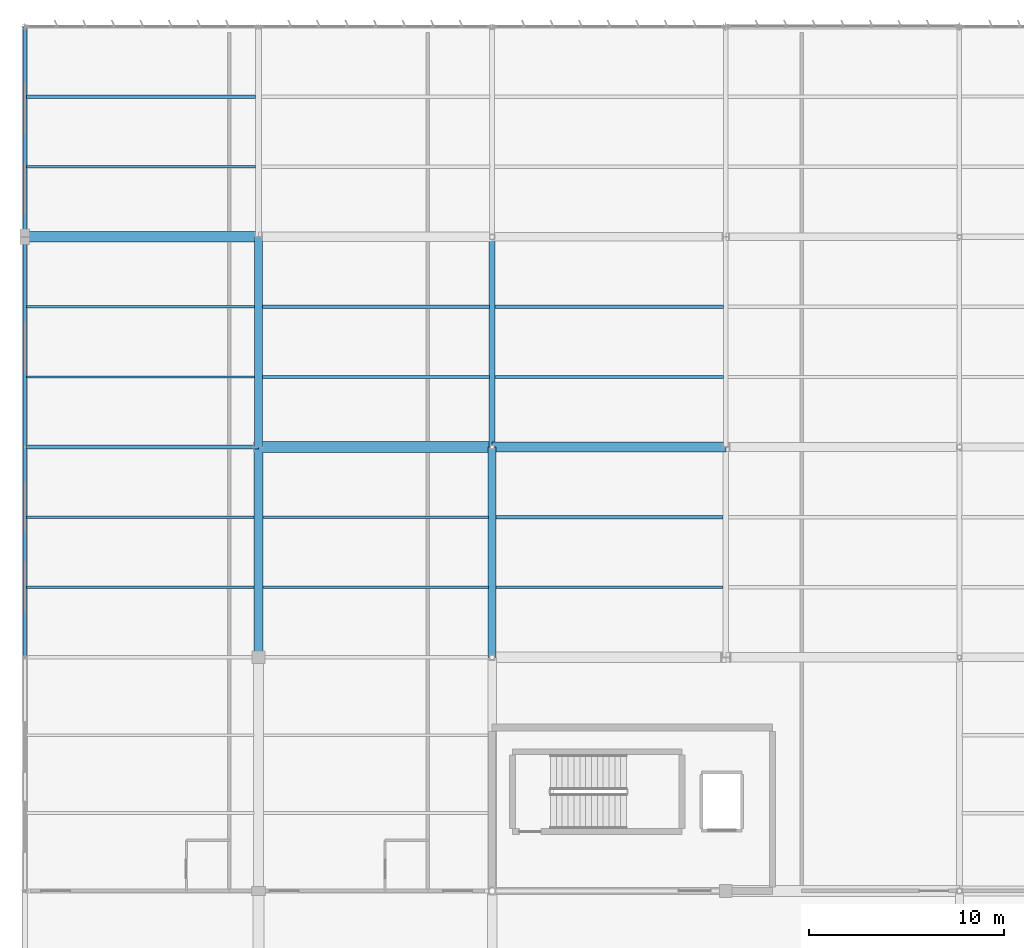
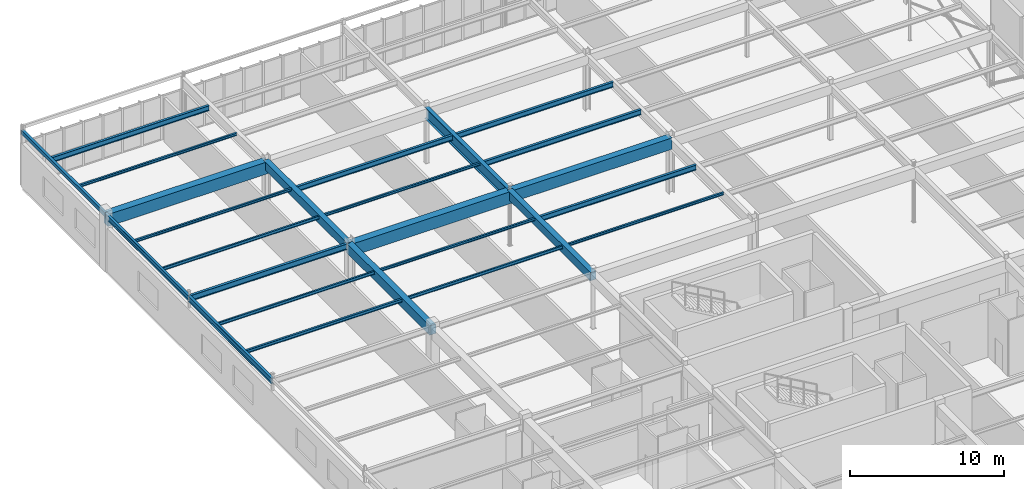
# One storey, part 90 of 226: 25 beams.
"""IFC4 building model written with IfcOpenShell, lengths in metres."""

import ifcopenshell
import ifcopenshell.guid

model = None  # the IFC model being written
_history = None  # IfcOwnerHistory: only IFC2X3 demands one
_inside = {}  # id of a spatial element -> (the spatial element, [elements in it])
_under = {}  # id of a project, library or spatial element -> (it, [spatial elements below it])
_declared = {}  # id of a project -> (the project, [libraries it declares])
_typed = {}  # id of a type object -> (the type object, [elements of that type])
_made_of = {}  # id of a material, layer set ... -> (it, [elements and type objects made of it])


def new_model(schema):
    """Start an empty IFC model of exactly this schema.

    Asked for "IFC4X3", IfcOpenShell would pick the latest addendum, in which some entities
    have other attributes; the version numbers below select the first issue.
    IFC2X3 requires an IfcOwnerHistory on every rooted entity: one is made here for all.
    """
    global model, _history
    if schema == "IFC4X3":
        model = ifcopenshell.file(schema_version=(4, 3, 0, 0))
    else:
        model = ifcopenshell.file(schema=schema)
    _inside.clear()
    _under.clear()
    _declared.clear()
    _typed.clear()
    _made_of.clear()
    _history = None
    if model.schema == "IFC2X3":
        org = make("IfcOrganization", Name="unknown")
        user = make(
            "IfcPersonAndOrganization",
            ThePerson=make("IfcPerson", FamilyName="unknown"),
            TheOrganization=org,
        )
        app = make(
            "IfcApplication",
            ApplicationDeveloper=org,
            Version="unknown",
            ApplicationFullName="unknown",
            ApplicationIdentifier="unknown",
        )
        _history = make(
            "IfcOwnerHistory",
            OwningUser=user,
            OwningApplication=app,
            ChangeAction="ADDED",
            CreationDate=0,
        )
    return model


def make(cls, **values):
    """One entity of the class cls with the attributes given. An attribute that is None is left unset."""
    return model.create_entity(
        cls, **{name: value for name, value in values.items() if value is not None}
    )


def rooted(cls, **values):
    """An entity with a GlobalId (a new one), such as an element, a storey or a relation."""
    return make(cls, GlobalId=ifcopenshell.guid.new(), OwnerHistory=_history, **values)


def si_unit(unit_type, name, prefix=None):
    """IfcSIUnit, for example si_unit("LENGTHUNIT", "METRE", prefix="MILLI")."""
    return make("IfcSIUnit", UnitType=unit_type, Prefix=prefix, Name=name)


def assignment(units):
    """IfcUnitAssignment: the units of a project."""
    return None if units is None else make("IfcUnitAssignment", Units=units)


def point(xyz):
    """IfcCartesianPoint."""
    return None if xyz is None else make("IfcCartesianPoint", Coordinates=xyz)


def direction(xyz):
    """IfcDirection."""
    return None if xyz is None else make("IfcDirection", DirectionRatios=xyz)


def frame(location, z_axis=None, x_axis=None):
    """IfcAxis2Placement3D, a coordinate frame: its origin and axes. An axis left out is left unset."""
    return make(
        "IfcAxis2Placement3D",
        Location=point(location),
        Axis=direction(z_axis),
        RefDirection=direction(x_axis),
    )


def frame_2d(location, x_axis=None):
    """IfcAxis2Placement2D, a coordinate frame in the plane: its origin and x axis."""
    return make(
        "IfcAxis2Placement2D", Location=point(location), RefDirection=direction(x_axis)
    )


def origin():
    """The frame at (0, 0, 0) with its axes left unset."""
    return frame((0.0, 0.0, 0.0))


def origin_2d():
    """The frame at (0, 0) in the plane with its x axis left unset."""
    return frame_2d((0.0, 0.0))


def place(relative_to, where):
    """IfcLocalPlacement: puts the frame where relative to a parent placement (None: the world)."""
    return make(
        "IfcLocalPlacement", PlacementRelTo=relative_to, RelativePlacement=where
    )


def context(
    kind, dimensions, precision=None, world=None, true_north=None, identifier=None
):
    """IfcGeometricRepresentationContext, for example the 3D "Model" context."""
    return make(
        "IfcGeometricRepresentationContext",
        ContextIdentifier=identifier,
        ContextType=kind,
        CoordinateSpaceDimension=dimensions,
        Precision=precision,
        WorldCoordinateSystem=world,
        TrueNorth=true_north,
    )


def subcontext(parent, identifier, kind, view, scale=None):
    """IfcGeometricRepresentationSubContext, for example "Body" below "Model"."""
    return make(
        "IfcGeometricRepresentationSubContext",
        ContextIdentifier=identifier,
        ContextType=kind,
        ParentContext=parent,
        TargetScale=scale,
        TargetView=view,
    )


def project(units=None, contexts=None):
    """IfcProject with its units and contexts."""
    return rooted(
        "IfcProject",
        Name="project",
        RepresentationContexts=contexts,
        UnitsInContext=assignment(units),
    )


def spatial(cls, under=None, at=None, **own):
    """A site, building, storey or space (cls), placed at a placement, below another one or the project."""
    s = rooted(cls, ObjectPlacement=at, **own)
    if under is not None:
        _under.setdefault(under.id(), (under, []))[1].append(s)
    return s


def profile(cls, at=None, kind="AREA", **sizes):
    """A parametric profile (cls). Its sizes go by their IFC names, for example OverallWidth=200.0."""
    return make(cls, ProfileType=kind, Position=at, **sizes)


def rectangle(**sizes):
    """IfcRectangleProfileDef."""
    return profile("IfcRectangleProfileDef", **sizes)


def hollow_rectangle(**sizes):
    """IfcRectangleHollowProfileDef."""
    return profile("IfcRectangleHollowProfileDef", **sizes)


def i_section(**sizes):
    """IfcIShapeProfileDef."""
    return profile("IfcIShapeProfileDef", **sizes)


def extrude(swept, where, along, depth):
    """IfcExtrudedAreaSolid: the profile swept, set in the frame where, extruded along a direction by depth."""
    return make(
        "IfcExtrudedAreaSolid",
        SweptArea=swept,
        Position=where,
        ExtrudedDirection=direction(along),
        Depth=depth,
    )


def shape(context_of_items, identifier, shape_type, items):
    """IfcShapeRepresentation: the items that make up one representation, for example the "Body"."""
    return make(
        "IfcShapeRepresentation",
        ContextOfItems=context_of_items,
        RepresentationIdentifier=identifier,
        RepresentationType=shape_type,
        Items=items,
    )


def material(Name=None, Category=None):
    """IfcMaterial."""
    return make("IfcMaterial", Name=Name, Category=Category)


def material_profile(
    of_material, cross_section, Name=None, Category=None, Priority=None
):
    """IfcMaterialProfile: a cross section and its material."""
    return make(
        "IfcMaterialProfile",
        Name=Name,
        Material=of_material,
        Profile=cross_section,
        Priority=Priority,
        Category=Category,
    )


def profile_set(profiles, Name=None, composite=None):
    """IfcMaterialProfileSet."""
    return make(
        "IfcMaterialProfileSet",
        Name=Name,
        MaterialProfiles=profiles,
        CompositeProfile=composite,
    )


def made_of(thing, what):
    """Note that an element or type object is made of a material, layer set ...; save() writes the relation."""
    if what is not None:
        _made_of.setdefault(what.id(), (what, []))[1].append(thing)
    return thing


def type_object(cls, material=None, **own):
    """A type object (cls), such as IfcWallType, which elements share."""
    return made_of(rooted(cls, **own), material)


def element(
    cls,
    number,
    at=None,
    inside=None,
    cuts=None,
    type_object=None,
    material=None,
    context=None,
    identifier="Body",
    shape_type=None,
    held_by="IfcProductDefinitionShape",
    body=None,
    shapes=None,
    **own,
):
    """One element of the class cls, such as IfcWall. Its Tag is "e" and its number.

    at: its placement. inside: the storey or other place that contains it. cuts: it is an
    opening in that element (IfcRelVoidsElement). A single representation is given by context,
    identifier, shape_type and body (its items); several are given by shapes. held_by: the class
    of the entity that holds the representations. save() writes the other relations.
    """
    e = rooted(cls, Tag="e%d" % number, ObjectPlacement=at, **own)
    if body is not None:
        shapes = [shape(context, identifier, shape_type, body)]
    if shapes is not None:
        e.Representation = make(held_by, Representations=shapes)
    if inside is not None:
        _inside.setdefault(inside.id(), (inside, []))[1].append(e)
    if cuts is not None:
        rooted(
            "IfcRelVoidsElement", RelatingBuildingElement=cuts, RelatedOpeningElement=e
        )
    if type_object is not None:
        _typed.setdefault(type_object.id(), (type_object, []))[1].append(e)
    return made_of(e, material)


def aggregate(whole, parts):
    """IfcRelAggregates: a whole, such as a stair, and the parts it consists of."""
    return rooted("IfcRelAggregates", RelatingObject=whole, RelatedObjects=parts)


def save(model, path):
    """Write the relations noted so far, then the file.

    IfcRelAggregates (storeys below a building ...), IfcRelContainedInSpatialStructure (elements
    in a storey), IfcRelDefinesByType, IfcRelAssociatesMaterial and IfcRelDeclares: one each for
    every whole, place, type object, material and project.
    """
    for whole, parts in _under.values():
        aggregate(whole, parts)
    for where, things in _inside.values():
        rooted(
            "IfcRelContainedInSpatialStructure",
            RelatedElements=things,
            RelatingStructure=where,
        )
    for kind, things in _typed.values():
        rooted("IfcRelDefinesByType", RelatedObjects=things, RelatingType=kind)
    for what, things in _made_of.values():
        rooted("IfcRelAssociatesMaterial", RelatedObjects=things, RelatingMaterial=what)
    for by, libraries in _declared.values():
        rooted("IfcRelDeclares", RelatingContext=by, RelatedDefinitions=libraries)
    model.write(path)


model = new_model("IFC4")

# Units and contexts
model_context = context("Model", 3, precision=1e-05, world=origin(), true_north=direction((0.0, 1.0)))
body_context = subcontext(model_context, "Body", "Model", "MODEL_VIEW")
ifc_project = project(units=[si_unit("LENGTHUNIT", "METRE"), si_unit("AREAUNIT", "SQUARE_METRE"), si_unit("VOLUMEUNIT", "CUBIC_METRE"), si_unit("PLANEANGLEUNIT", "RADIAN"), si_unit("MASSUNIT", "GRAM", prefix="KILO")], contexts=[model_context])

# Site, building, storey
site_placement = place(None, origin())
site = spatial("IfcSite", under=ifc_project, at=site_placement, CompositionType="ELEMENT")
building_placement = place(site_placement, origin())
building = spatial("IfcBuilding", under=site, at=building_placement, Name="Tarnwether General Hospital", CompositionType="ELEMENT")
storey_placement = place(building_placement, frame((0.0, 0.0, 4.800048828125)))
storey = spatial("IfcBuildingStorey", under=building, at=storey_placement, Name="L01", CompositionType="ELEMENT", Elevation=4.800048828125)

# Beams
ifc_material_1 = material(Name="Steel Grade 350 (350 MPa)", Category="steel")
ifc_material_profile_1 = material_profile(ifc_material_1, i_section(OverallWidth=0.300048828125, OverallDepth=0.89990234375, WebThickness=0.011962890625, FlangeThickness=0.02001953125, at=origin_2d()), Name="900WB175")
ifc_profile_set_1 = profile_set([ifc_material_profile_1], Name="Steel Grade 350 (350 MPa)")
beam_type_1 = type_object("IfcBeamType", Name="BM-G01", PredefinedType="BEAM", material=ifc_profile_set_1)
beam_1_placement = place(storey_placement, frame((24.0, 104.39990234375, 3.97998046875), z_axis=(0.0, 1.0, 0.0), x_axis=(-1.0, 0.0, 0.0)))
element("IfcBeam", 1, at=beam_1_placement, inside=storey, type_object=beam_type_1, Name="Primary Girder BMG-L01-2400_10440-2400_11520-1086", PredefinedType="BEAM", context=body_context, shape_type="SweptSolid", body=[
    extrude(i_section(OverallWidth=0.300048828125, OverallDepth=0.89990234375, WebThickness=0.011962890625, FlangeThickness=0.02001953125, at=origin_2d()), origin(), (0.0, 0.0, 1.0), 10.800048828125),
])
ifc_material_2 = material(Name="Steel Grade 350 (350 MPa)", Category="steel")
ifc_material_profile_2 = material_profile(ifc_material_2, i_section(OverallWidth=0.18994140625, OverallDepth=0.4541015625, WebThickness=0.008544921875, FlangeThickness=0.0126953125, at=origin_2d()), Name="460UB67.1")
ifc_profile_set_2 = profile_set([ifc_material_profile_2], Name="Steel Grade 350 (350 MPa)")
beam_type_2 = type_object("IfcBeamType", Name="BM-G10", PredefinedType="BEAM", material=ifc_profile_set_2)
beam_2_placement = place(storey_placement, frame((0.0, 104.39990234375, 4.202880859375), z_axis=(1.0, 0.0, 0.0), x_axis=(0.0, 1.0, 0.0)))
element("IfcBeam", 2, at=beam_2_placement, inside=storey, type_object=beam_type_2, Name="Primary Girder BMG-L01-0_10440-1200_10440-1055", PredefinedType="BEAM", context=body_context, shape_type="SweptSolid", body=[
    extrude(i_section(OverallWidth=0.18994140625, OverallDepth=0.4541015625, WebThickness=0.008544921875, FlangeThickness=0.0126953125, at=origin_2d()), origin(), (0.0, 0.0, 1.0), 12.0),
])
ifc_material_3 = material(Name="Concrete 40 MPa", Category="concrete")
ifc_material_profile_3 = material_profile(ifc_material_3, rectangle(XDim=0.550048828125, YDim=0.949951171875, at=origin_2d()), Name="RC-BM-550x950")
ifc_profile_set_3 = profile_set([ifc_material_profile_3], Name="Concrete 40 MPa")
beam_type_3 = type_object("IfcBeamType", Name="BM-G11", PredefinedType="BEAM", material=ifc_profile_set_3)
for number, where, z_axis, x_axis, name in (
    (3, (0.0, 115.199951171875, 3.954833984375), (1.0, 0.0, 0.0), (0.0, 1.0, 0.0), "Primary Girder BMG-L01-0_11520-1200_11520-1057"),
    (4, (12.0, 104.39990234375, 3.954833984375), (1.0, 0.0, 0.0), (0.0, 1.0, 0.0), "Primary Girder BMG-L01-1200_10440-2400_10440-1070"),
):
    element("IfcBeam", number, at=place(storey_placement, frame(where, z_axis=z_axis, x_axis=x_axis)), inside=storey, type_object=beam_type_3, Name=name, PredefinedType="BEAM", context=body_context, shape_type="SweptSolid", body=[
        extrude(rectangle(XDim=0.550048828125, YDim=0.949951171875, at=origin_2d()), origin(), (0.0, 0.0, 1.0), 12.0),
    ])
ifc_material_4 = material(Name="Concrete 40 MPa", Category="concrete")
ifc_material_profile_4 = material_profile(ifc_material_4, rectangle(XDim=0.5, YDim=0.89990234375, at=origin_2d()), Name="RC-BM-500x900")
ifc_profile_set_4 = profile_set([ifc_material_profile_4], Name="Concrete 40 MPa")
beam_type_4 = type_object("IfcBeamType", Name="BM-G12", PredefinedType="BEAM", material=ifc_profile_set_4)
beam_3_placement = place(storey_placement, frame((24.0, 104.39990234375, 3.97998046875), z_axis=(1.0, 0.0, 0.0), x_axis=(0.0, 1.0, 0.0)))
element("IfcBeam", 5, at=beam_3_placement, inside=storey, type_object=beam_type_4, Name="Primary Girder BMG-L01-2400_10440-3600_10440-1085", PredefinedType="BEAM", context=body_context, shape_type="SweptSolid", body=[
    extrude(rectangle(XDim=0.5, YDim=0.89990234375, at=origin_2d()), origin(), (0.0, 0.0, 1.0), 12.0),
])
ifc_material_5 = material(Name="Concrete 40 MPa", Category="concrete")
ifc_material_profile_5 = material_profile(ifc_material_5, rectangle(XDim=0.449951171875, YDim=0.75, at=origin_2d()), Name="RC-BM-450x750")
ifc_profile_set_5 = profile_set([ifc_material_profile_5], Name="Concrete 40 MPa")
beam_type_5 = type_object("IfcBeamType", Name="BM-G13", PredefinedType="BEAM", material=ifc_profile_set_5)
beam_4_placement = place(storey_placement, frame((12.0, 93.60009765625, 4.054931640625), z_axis=(0.0, 1.0, 0.0), x_axis=(-1.0, 0.0, 0.0)))
element("IfcBeam", 6, at=beam_4_placement, inside=storey, type_object=beam_type_5, Name="Primary Girder BMG-L01-1200_9360-1200_10440-1069", PredefinedType="BEAM", context=body_context, shape_type="SweptSolid", body=[
    extrude(rectangle(XDim=0.449951171875, YDim=0.75, at=origin_2d()), origin(), (0.0, 0.0, 1.0), 10.7998046875),
])
ifc_material_6 = material(Name="Concrete 40 MPa", Category="concrete")
ifc_material_profile_6 = material_profile(ifc_material_6, rectangle(XDim=0.39990234375, YDim=0.64990234375, at=origin_2d()), Name="RC-BM-400x650")
ifc_profile_set_6 = profile_set([ifc_material_profile_6], Name="Concrete 40 MPa")
beam_type_6 = type_object("IfcBeamType", Name="BM-G14", PredefinedType="BEAM", material=ifc_profile_set_6)
beam_5_placement = place(storey_placement, frame((12.0, 104.39990234375, 4.10498046875), z_axis=(0.0, 1.0, 0.0), x_axis=(-1.0, 0.0, 0.0)))
element("IfcBeam", 7, at=beam_5_placement, inside=storey, type_object=beam_type_6, Name="Primary Girder BMG-L01-1200_10440-1200_11520-1071", PredefinedType="BEAM", context=body_context, shape_type="SweptSolid", body=[
    extrude(rectangle(XDim=0.39990234375, YDim=0.64990234375, at=origin_2d()), origin(), (0.0, 0.0, 1.0), 10.800048828125),
])
beam_6_placement = place(storey_placement, frame((24.0, 93.60009765625, 4.10498046875), z_axis=(0.0, 1.0, 0.0), x_axis=(-1.0, 0.0, 0.0)))
element("IfcBeam", 8, at=beam_6_placement, inside=storey, type_object=beam_type_6, Name="Primary Girder BMG-L01-2400_9360-2400_10440-1084", PredefinedType="BEAM", context=body_context, shape_type="SweptSolid", body=[
    extrude(rectangle(XDim=0.39990234375, YDim=0.64990234375, at=origin_2d()), origin(), (0.0, 0.0, 1.0), 10.7998046875),
])
ifc_material_7 = material(Name="Steel Grade 350 (350 MPa)", Category="steel")
ifc_material_profile_7 = material_profile(ifc_material_7, i_section(OverallWidth=0.177978515625, OverallDepth=0.406005859375, WebThickness=0.0078125, FlangeThickness=0.0126953125, at=origin_2d()), Name="410UB59.7")
ifc_profile_set_7 = profile_set([ifc_material_profile_7], Name="Steel Grade 350 (350 MPa)")
beam_type_7 = type_object("IfcBeamType", Name="BM-J01", PredefinedType="JOIST", material=ifc_profile_set_7)
beam_7_placement = place(storey_placement, frame((0.093994140625, 122.39990234375, 4.22705078125), z_axis=(1.0, 0.0, 0.0), x_axis=(0.0, 1.0, 0.0)))
element("IfcBeam", 9, at=beam_7_placement, inside=storey, type_object=beam_type_7, Name="Composite Floor Joist BMG-L01-9_12240-1186_12240-1304", PredefinedType="JOIST", context=body_context, shape_type="SweptSolid", body=[
    extrude(i_section(OverallWidth=0.177978515625, OverallDepth=0.406005859375, WebThickness=0.0078125, FlangeThickness=0.0126953125, at=origin_2d()), origin(), (0.0, 0.0, 1.0), 11.761962890625),
])
for number, where, z_axis, x_axis, name in (
    (10, (12.194091796875, 111.60009765625, 4.22705078125), (1.0, 0.0, 0.0), (0.0, 1.0, 0.0), "Composite Floor Joist BMG-L01-1219_11160-2386_11160-1316"),
    (11, (24.194091796875, 100.800048828125, 4.22705078125), (1.0, 0.0, 0.0), (0.0, 1.0, 0.0), "Composite Floor Joist BMG-L01-2419_10080-3586_10080-1324"),
):
    element("IfcBeam", number, at=place(storey_placement, frame(where, z_axis=z_axis, x_axis=x_axis)), inside=storey, type_object=beam_type_7, Name=name, PredefinedType="JOIST", context=body_context, shape_type="SweptSolid", body=[
        extrude(i_section(OverallWidth=0.177978515625, OverallDepth=0.406005859375, WebThickness=0.0078125, FlangeThickness=0.0126953125, at=origin_2d()), origin(), (0.0, 0.0, 1.0), 11.661865234375),
    ])
beam_8_placement = place(storey_placement, frame((24.14404296875, 108.0, 4.22705078125), z_axis=(1.0, 0.0, 0.0), x_axis=(0.0, 1.0, 0.0)))
element("IfcBeam", 12, at=beam_8_placement, inside=storey, type_object=beam_type_7, Name="Composite Floor Joist BMG-L01-2414_10800-3588_10800-1325", PredefinedType="JOIST", context=body_context, shape_type="SweptSolid", body=[
    extrude(i_section(OverallWidth=0.177978515625, OverallDepth=0.406005859375, WebThickness=0.0078125, FlangeThickness=0.0126953125, at=origin_2d()), origin(), (0.0, 0.0, 1.0), 11.737060546875),
])
ifc_material_8 = material(Name="Steel Grade 350 (350 MPa)", Category="steel")
ifc_material_profile_8 = material_profile(ifc_material_8, i_section(OverallWidth=0.177978515625, OverallDepth=0.403076171875, WebThickness=0.007568359375, FlangeThickness=0.010986328125, at=origin_2d()), Name="410UB53.7")
ifc_profile_set_8 = profile_set([ifc_material_profile_8], Name="Steel Grade 350 (350 MPa)")
beam_type_8 = type_object("IfcBeamType", Name="BM-J02", PredefinedType="JOIST", material=ifc_profile_set_8)
beam_9_placement = place(storey_placement, frame((24.14404296875, 111.60009765625, 4.228515625), z_axis=(1.0, 0.0, 0.0), x_axis=(0.0, 1.0, 0.0)))
element("IfcBeam", 13, at=beam_9_placement, inside=storey, type_object=beam_type_8, Name="Composite Floor Joist BMG-L01-2414_11160-3588_11160-1326", PredefinedType="JOIST", context=body_context, shape_type="SweptSolid", body=[
    extrude(i_section(OverallWidth=0.177978515625, OverallDepth=0.403076171875, WebThickness=0.007568359375, FlangeThickness=0.010986328125, at=origin_2d()), origin(), (0.0, 0.0, 1.0), 11.737060546875),
])
ifc_material_9 = material(Name="Steel Grade 350 (350 MPa)", Category="steel")
ifc_material_profile_9 = material_profile(ifc_material_9, i_section(OverallWidth=0.14599609375, OverallDepth=0.251953125, WebThickness=0.006103515625, FlangeThickness=0.008544921875, at=origin_2d()), Name="250UB31.4")
ifc_profile_set_9 = profile_set([ifc_material_profile_9], Name="Steel Grade 350 (350 MPa)")
beam_type_9 = type_object("IfcBeamType", Name="BM-J10", PredefinedType="JOIST", material=ifc_profile_set_9)
beam_10_placement = place(storey_placement, frame((0.089111328125, 97.199951171875, 4.303955078125), z_axis=(1.0, 0.0, 0.0), x_axis=(0.0, 1.0, 0.0)))
element("IfcBeam", 14, at=beam_10_placement, inside=storey, type_object=beam_type_9, Name="Composite Floor Joist BMG-L01-9_9720-1178_9720-1299", PredefinedType="JOIST", context=body_context, shape_type="SweptSolid", body=[
    extrude(i_section(OverallWidth=0.14599609375, OverallDepth=0.251953125, WebThickness=0.006103515625, FlangeThickness=0.008544921875, at=origin_2d()), origin(), (0.0, 0.0, 1.0), 11.69189453125),
])
ifc_material_10 = material(Name="Steel Grade 350 (350 MPa)", Category="steel")
ifc_material_profile_10 = material_profile(ifc_material_10, i_section(OverallWidth=0.1240234375, OverallDepth=0.248046875, WebThickness=0.0048828125, FlangeThickness=0.008056640625, at=origin_2d()), Name="250UB25.7")
ifc_profile_set_10 = profile_set([ifc_material_profile_10], Name="Steel Grade 350 (350 MPa)")
beam_type_10 = type_object("IfcBeamType", Name="BM-J11", PredefinedType="JOIST", material=ifc_profile_set_10)
beam_11_placement = place(storey_placement, frame((0.089111328125, 100.800048828125, 4.305908203125), z_axis=(1.0, 0.0, 0.0), x_axis=(0.0, 1.0, 0.0)))
element("IfcBeam", 15, at=beam_11_placement, inside=storey, type_object=beam_type_10, Name="Composite Floor Joist BMG-L01-9_10080-1178_10080-1300", PredefinedType="JOIST", context=body_context, shape_type="SweptSolid", body=[
    extrude(i_section(OverallWidth=0.1240234375, OverallDepth=0.248046875, WebThickness=0.0048828125, FlangeThickness=0.008056640625, at=origin_2d()), origin(), (0.0, 0.0, 1.0), 11.69189453125),
])
beam_12_placement = place(storey_placement, frame((0.0830078125, 108.0, 4.305908203125), z_axis=(1.0, 0.0, 0.0), x_axis=(0.0, 1.0, 0.0)))
element("IfcBeam", 16, at=beam_12_placement, inside=storey, type_object=beam_type_10, Name="Composite Floor Joist BMG-L01-8_10800-1181_10800-1301", PredefinedType="JOIST", context=body_context, shape_type="SweptSolid", body=[
    extrude(i_section(OverallWidth=0.1240234375, OverallDepth=0.248046875, WebThickness=0.0048828125, FlangeThickness=0.008056640625, at=origin_2d()), origin(), (0.0, 0.0, 1.0), 11.722900390625),
])
beam_13_placement = place(storey_placement, frame((12.218994140625, 97.199951171875, 4.305908203125), z_axis=(1.0, 0.0, 0.0), x_axis=(0.0, 1.0, 0.0)))
element("IfcBeam", 17, at=beam_13_placement, inside=storey, type_object=beam_type_10, Name="Composite Floor Joist BMG-L01-1222_9720-2381_9720-1313", PredefinedType="JOIST", context=body_context, shape_type="SweptSolid", body=[
    extrude(i_section(OverallWidth=0.1240234375, OverallDepth=0.248046875, WebThickness=0.0048828125, FlangeThickness=0.008056640625, at=origin_2d()), origin(), (0.0, 0.0, 1.0), 11.5869140625),
])
ifc_material_11 = material(Name="Steel Grade 350 (350 MPa)", Category="steel")
ifc_material_profile_11 = material_profile(ifc_material_11, i_section(OverallWidth=0.134033203125, OverallDepth=0.20703125, WebThickness=0.00634765625, FlangeThickness=0.009521484375, at=origin_2d()), Name="200UB29.8")
ifc_profile_set_11 = profile_set([ifc_material_profile_11], Name="Steel Grade 350 (350 MPa)")
beam_type_11 = type_object("IfcBeamType", Name="BM-J12", PredefinedType="JOIST", material=ifc_profile_set_11)
beam_14_placement = place(storey_placement, frame((0.0830078125, 111.60009765625, 4.326416015625), z_axis=(1.0, 0.0, 0.0), x_axis=(0.0, 1.0, 0.0)))
element("IfcBeam", 18, at=beam_14_placement, inside=storey, type_object=beam_type_11, Name="Composite Floor Joist BMG-L01-8_11160-1181_11160-1302", PredefinedType="JOIST", context=body_context, shape_type="SweptSolid", body=[
    extrude(i_section(OverallWidth=0.134033203125, OverallDepth=0.20703125, WebThickness=0.00634765625, FlangeThickness=0.009521484375, at=origin_2d()), origin(), (0.0, 0.0, 1.0), 11.722900390625),
])
beam_15_placement = place(storey_placement, frame((0.093994140625, 118.800048828125, 4.326416015625), z_axis=(1.0, 0.0, 0.0), x_axis=(0.0, 1.0, 0.0)))
element("IfcBeam", 19, at=beam_15_placement, inside=storey, type_object=beam_type_11, Name="Composite Floor Joist BMG-L01-9_11880-1186_11880-1303", PredefinedType="JOIST", context=body_context, shape_type="SweptSolid", body=[
    extrude(i_section(OverallWidth=0.134033203125, OverallDepth=0.20703125, WebThickness=0.00634765625, FlangeThickness=0.009521484375, at=origin_2d()), origin(), (0.0, 0.0, 1.0), 11.761962890625),
])
beam_16_placement = place(storey_placement, frame((12.218994140625, 100.800048828125, 4.326416015625), z_axis=(1.0, 0.0, 0.0), x_axis=(0.0, 1.0, 0.0)))
element("IfcBeam", 20, at=beam_16_placement, inside=storey, type_object=beam_type_11, Name="Composite Floor Joist BMG-L01-1222_10080-2381_10080-1314", PredefinedType="JOIST", context=body_context, shape_type="SweptSolid", body=[
    extrude(i_section(OverallWidth=0.134033203125, OverallDepth=0.20703125, WebThickness=0.00634765625, FlangeThickness=0.009521484375, at=origin_2d()), origin(), (0.0, 0.0, 1.0), 11.5869140625),
])
for number, where, z_axis, x_axis, name in (
    (21, (12.194091796875, 108.0, 4.326416015625), (1.0, 0.0, 0.0), (0.0, 1.0, 0.0), "Composite Floor Joist BMG-L01-1219_10800-2386_10800-1315"),
    (22, (24.194091796875, 97.199951171875, 4.326416015625), (1.0, 0.0, 0.0), (0.0, 1.0, 0.0), "Composite Floor Joist BMG-L01-2419_9720-3586_9720-1323"),
):
    element("IfcBeam", number, at=place(storey_placement, frame(where, z_axis=z_axis, x_axis=x_axis)), inside=storey, type_object=beam_type_11, Name=name, PredefinedType="JOIST", context=body_context, shape_type="SweptSolid", body=[
        extrude(i_section(OverallWidth=0.134033203125, OverallDepth=0.20703125, WebThickness=0.00634765625, FlangeThickness=0.009521484375, at=origin_2d()), origin(), (0.0, 0.0, 1.0), 11.661865234375),
    ])
ifc_material_12 = material(Name="Steel Grade 350 (350 MPa)", Category="steel")
ifc_material_profile_12 = material_profile(ifc_material_12, i_section(OverallWidth=0.18994140625, OverallDepth=0.4541015625, WebThickness=0.008544921875, FlangeThickness=0.0126953125, at=origin_2d()), Name="460UB67.1")
ifc_profile_set_12 = profile_set([ifc_material_profile_12], Name="Steel Grade 350 (350 MPa)")
beam_type_12 = type_object("IfcBeamType", Name="BM-SP1", PredefinedType="SPANDREL", material=ifc_profile_set_12)
beam_17_placement = place(storey_placement, frame((0.0, 93.60009765625, 4.202880859375), z_axis=(0.0, 1.0, 0.0), x_axis=(-1.0, 0.0, 0.0)))
element("IfcBeam", 23, at=beam_17_placement, inside=storey, type_object=beam_type_12, Name="Primary Girder BMG-L01-0_9360-0_10440-1054", PredefinedType="SPANDREL", context=body_context, shape_type="SweptSolid", body=[
    extrude(i_section(OverallWidth=0.18994140625, OverallDepth=0.4541015625, WebThickness=0.008544921875, FlangeThickness=0.0126953125, at=origin_2d()), origin(), (0.0, 0.0, 1.0), 10.7998046875),
])
ifc_material_13 = material(Name="Steel Grade 350 (350 MPa)", Category="steel")
ifc_material_profile_13 = material_profile(ifc_material_13, i_section(OverallWidth=0.177978515625, OverallDepth=0.403076171875, WebThickness=0.007568359375, FlangeThickness=0.010986328125, at=origin_2d()), Name="410UB53.7")
ifc_profile_set_13 = profile_set([ifc_material_profile_13], Name="Steel Grade 350 (350 MPa)")
beam_type_13 = type_object("IfcBeamType", Name="BM-SP2", PredefinedType="SPANDREL", material=ifc_profile_set_13)
beam_18_placement = place(storey_placement, frame((0.0, 104.39990234375, 4.228515625), z_axis=(0.0, 1.0, 0.0), x_axis=(-1.0, 0.0, 0.0)))
element("IfcBeam", 24, at=beam_18_placement, inside=storey, type_object=beam_type_13, Name="Primary Girder BMG-L01-0_10440-0_11520-1056", PredefinedType="SPANDREL", context=body_context, shape_type="SweptSolid", body=[
    extrude(i_section(OverallWidth=0.177978515625, OverallDepth=0.403076171875, WebThickness=0.007568359375, FlangeThickness=0.010986328125, at=origin_2d()), origin(), (0.0, 0.0, 1.0), 10.800048828125),
])
ifc_material_14 = material(Name="Steel Grade C350L0 (350 MPa)", Category="steel")
ifc_material_profile_14 = material_profile(ifc_material_14, hollow_rectangle(XDim=0.199951171875, YDim=0.300048828125, WallThickness=0.012451171875, at=origin_2d()), Name="RHS300x200x12.5")
ifc_profile_set_14 = profile_set([ifc_material_profile_14], Name="Steel Grade C350L0 (350 MPa)")
beam_type_14 = type_object("IfcBeamType", Name="BM-SP3", PredefinedType="SPANDREL", material=ifc_profile_set_14)
beam_19_placement = place(storey_placement, frame((0.0, 115.199951171875, 4.280029296875), z_axis=(0.0, 1.0, 0.0), x_axis=(-1.0, 0.0, 0.0)))
element("IfcBeam", 25, at=beam_19_placement, inside=storey, type_object=beam_type_14, Name="Primary Girder BMG-L01-0_11520-0_12600-1058", PredefinedType="SPANDREL", context=body_context, shape_type="SweptSolid", body=[
    extrude(hollow_rectangle(XDim=0.199951171875, YDim=0.300048828125, WallThickness=0.012451171875, at=origin_2d()), origin(), (0.0, 0.0, 1.0), 10.800048828125),
])

save(model, "model.ifc")
